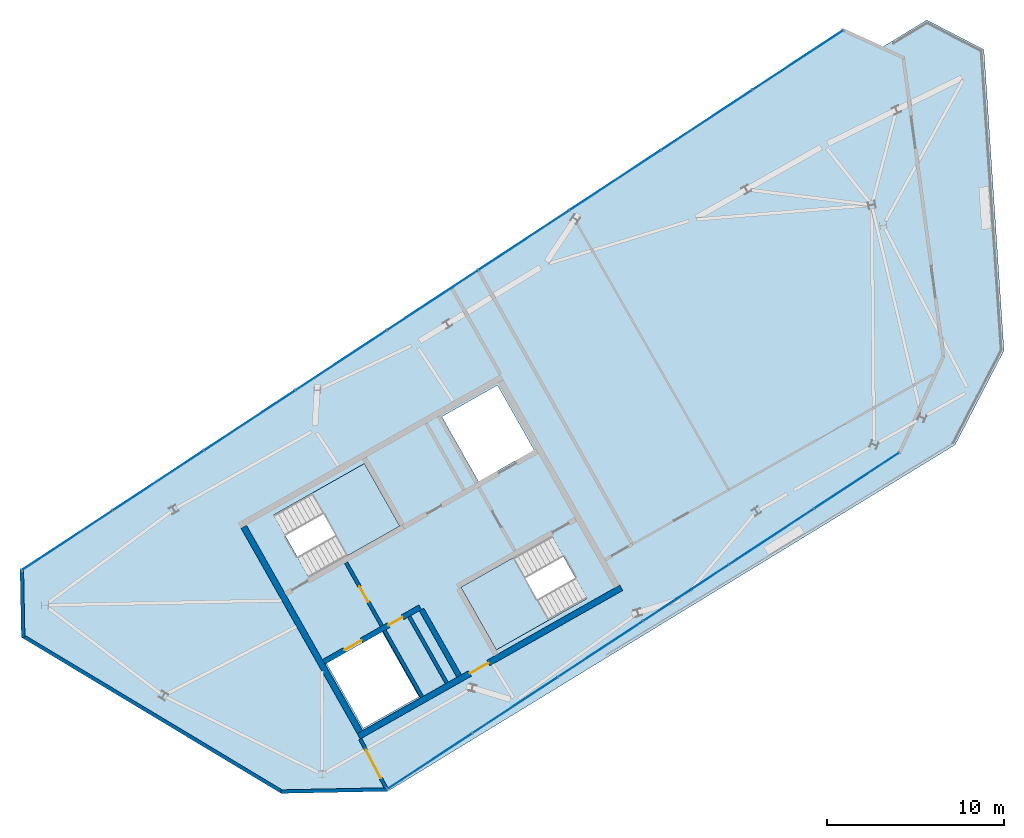
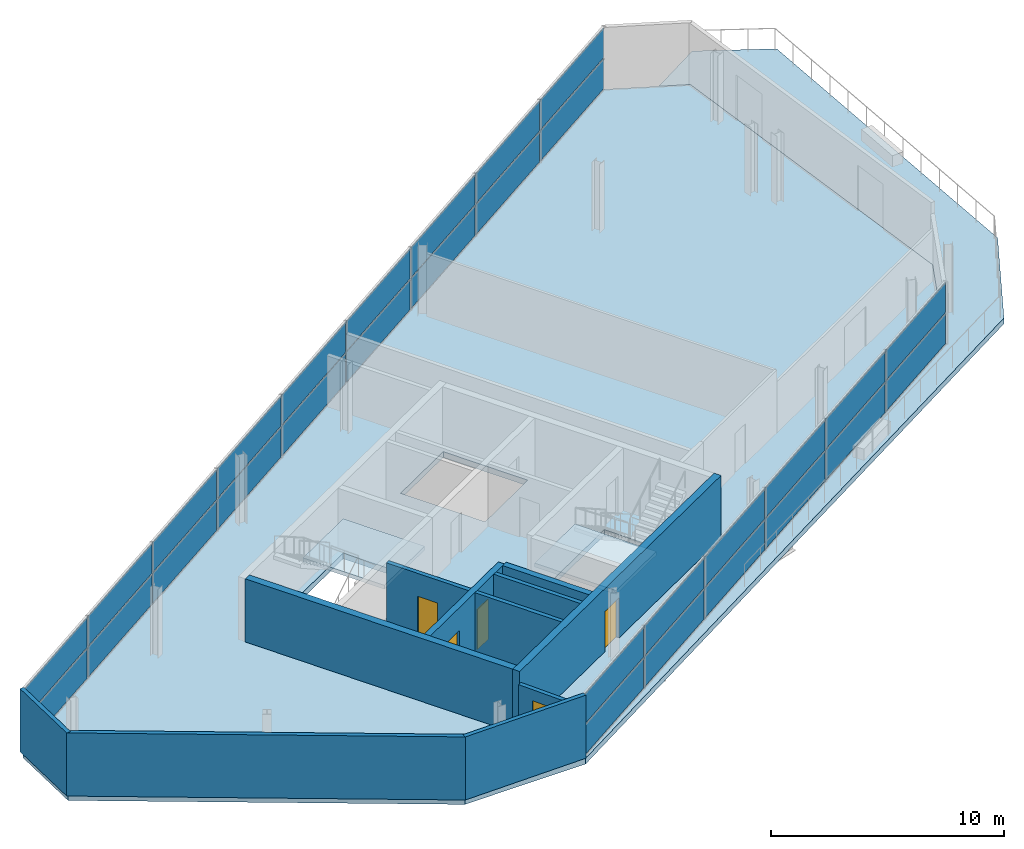
# One storey, part 7 of 10: 30 plates, 11 walls, 5 doors, 4 slabs, 5 openings, 4 elements without a shape of their own.
"""IFC4 building model written with IfcOpenShell, lengths in metres."""

from ifc_helpers import new_model, si_unit, direction, frame, frame_2d, origin, origin_2d, place, context, subcontext, project, spatial, polyline, rectangle, outline, extrude, material, layer, layer_set, type_object, element, fill, aggregate, save


model = new_model("IFC4")

# Units and contexts
model_context = context("Model", 3, precision=1e-05, world=origin(), true_north=direction((0.0, 1.0)))
body_context = subcontext(model_context, "Body", "Model", "MODEL_VIEW")
ifc_project = project(units=[si_unit("LENGTHUNIT", "METRE"), si_unit("AREAUNIT", "SQUARE_METRE"), si_unit("VOLUMEUNIT", "CUBIC_METRE"), si_unit("PLANEANGLEUNIT", "RADIAN"), si_unit("MASSUNIT", "GRAM", prefix="KILO")], contexts=[model_context])

# Site, building, storey
site_placement = place(None, origin())
site = spatial("IfcSite", under=ifc_project, at=site_placement, CompositionType="ELEMENT")
building_placement = place(site_placement, origin())
building = spatial("IfcBuilding", under=site, at=building_placement, Name="Binnacle Exchange Tower", CompositionType="ELEMENT")
storey_placement = place(building_placement, frame((0.0, 0.0, 354.10009765625)))
storey = spatial("IfcBuildingStorey", under=building, at=storey_placement, Name="L81", CompositionType="ELEMENT", Elevation=354.10009765625)

# Curtain wall, plates
ifc_material_1 = material(Name="Bronze anodised aluminium frame", Category="aluminium")
curtain_wall_type = type_object("IfcCurtainWallType", Name="External wall - curtain wall crown tiers", PredefinedType="NOTDEFINED", material=ifc_material_1)
curtain_wall_1_placement = place(storey_placement, origin())
curtain_wall_1 = element("IfcCurtainWall", 1, at=curtain_wall_1_placement, inside=storey, type_object=curtain_wall_type, Name="External wall curtain wall CW5-C203 L81", PredefinedType="NOTDEFINED")
ifc_material_2 = material(Name="Glass", Category="glass")
ifc_layer_1 = layer(ifc_material_2, 0.028076171875)
ifc_layer_set_1 = layer_set([ifc_layer_1], Name="CW5 GLASS PANEL 28")
plate_type = type_object("IfcPlateType", Name="CW5 GLASS PANEL 28", PredefinedType="CURTAIN_PANEL", material=ifc_layer_set_1)
plate_1_placement = place(storey_placement, frame((-15.05126953125, 67.7587890625, 0.0498046875), z_axis=(0.0, 0.0, 1.0), x_axis=(-0.835618452059, -0.549310297171, 0.0)))
plate_1 = element("IfcPlate", 2, at=plate_1_placement, type_object=plate_type, Name="CW5-C203 panel 1.1", PredefinedType="CURTAIN_PANEL", context=body_context, shape_type="SweptSolid", body=[
    extrude(rectangle(XDim=6.074462890625, YDim=0.028076171875, at=origin_2d()), origin(), (0.0, 0.0, 1.0), 1.574951171875),
])
plate_2_placement = place(storey_placement, frame((-15.05126953125, 67.7587890625, 1.6748046875), z_axis=(0.0, 0.0, 1.0), x_axis=(-0.835618452059, -0.549310297171, 0.0)))
plate_2 = element("IfcPlate", 3, at=plate_2_placement, type_object=plate_type, Name="CW5-C203 panel 1.2", PredefinedType="CURTAIN_PANEL", context=body_context, shape_type="SweptSolid", body=[
    extrude(rectangle(XDim=6.074462890625, YDim=0.028076171875, at=origin_2d()), origin(), (0.0, 0.0, 1.0), 1.574951171875),
])
plate_3_placement = place(storey_placement, frame((-20.18994140625, 64.380615234375, 0.0498046875), z_axis=(0.0, 0.0, 1.0), x_axis=(-0.835618452059, -0.549310297171, 0.0)))
plate_3 = element("IfcPlate", 4, at=plate_3_placement, type_object=plate_type, Name="CW5-C203 panel 2.1", PredefinedType="CURTAIN_PANEL", context=body_context, shape_type="SweptSolid", body=[
    extrude(rectangle(XDim=6.1044921875, YDim=0.028076171875, at=origin_2d()), origin(), (0.0, 0.0, 1.0), 1.574951171875),
])
plate_4_placement = place(storey_placement, frame((-20.18994140625, 64.380615234375, 1.6748046875), z_axis=(0.0, 0.0, 1.0), x_axis=(-0.835618452059, -0.549310297171, 0.0)))
plate_4 = element("IfcPlate", 5, at=plate_4_placement, type_object=plate_type, Name="CW5-C203 panel 2.2", PredefinedType="CURTAIN_PANEL", context=body_context, shape_type="SweptSolid", body=[
    extrude(rectangle(XDim=6.1044921875, YDim=0.028076171875, at=origin_2d()), origin(), (0.0, 0.0, 1.0), 1.574951171875),
])
plate_5_placement = place(storey_placement, frame((-25.34130859375, 60.994384765625, 0.0498046875), z_axis=(0.0, 0.0, 1.0), x_axis=(-0.835618452059, -0.549310297171, 0.0)))
plate_5 = element("IfcPlate", 6, at=plate_5_placement, type_object=plate_type, Name="CW5-C203 panel 3.1", PredefinedType="CURTAIN_PANEL", context=body_context, shape_type="SweptSolid", body=[
    extrude(rectangle(XDim=6.1044921875, YDim=0.028076171875, at=origin_2d()), origin(), (0.0, 0.0, 1.0), 1.574951171875),
])
plate_6_placement = place(storey_placement, frame((-25.34130859375, 60.994384765625, 1.6748046875), z_axis=(0.0, 0.0, 1.0), x_axis=(-0.835618452059, -0.549310297171, 0.0)))
plate_6 = element("IfcPlate", 7, at=plate_6_placement, type_object=plate_type, Name="CW5-C203 panel 3.2", PredefinedType="CURTAIN_PANEL", context=body_context, shape_type="SweptSolid", body=[
    extrude(rectangle(XDim=6.1044921875, YDim=0.028076171875, at=origin_2d()), origin(), (0.0, 0.0, 1.0), 1.574951171875),
])
plate_7_placement = place(storey_placement, frame((-30.492431640625, 57.608154296875, 0.0498046875), z_axis=(0.0, 0.0, 1.0), x_axis=(-0.835618452059, -0.549310297171, 0.0)))
plate_7 = element("IfcPlate", 8, at=plate_7_placement, type_object=plate_type, Name="CW5-C203 panel 4.1", PredefinedType="CURTAIN_PANEL", context=body_context, shape_type="SweptSolid", body=[
    extrude(rectangle(XDim=6.1044921875, YDim=0.028076171875, at=origin_2d()), origin(), (0.0, 0.0, 1.0), 1.574951171875),
])
plate_8_placement = place(storey_placement, frame((-30.492431640625, 57.608154296875, 1.6748046875), z_axis=(0.0, 0.0, 1.0), x_axis=(-0.835618452059, -0.549310297171, 0.0)))
plate_8 = element("IfcPlate", 9, at=plate_8_placement, type_object=plate_type, Name="CW5-C203 panel 4.2", PredefinedType="CURTAIN_PANEL", context=body_context, shape_type="SweptSolid", body=[
    extrude(rectangle(XDim=6.1044921875, YDim=0.028076171875, at=origin_2d()), origin(), (0.0, 0.0, 1.0), 1.574951171875),
])
plate_9_placement = place(storey_placement, frame((-35.643798828125, 54.221923828125, 0.0498046875), z_axis=(0.0, 0.0, 1.0), x_axis=(-0.835618452059, -0.549310297171, 0.0)))
plate_9 = element("IfcPlate", 10, at=plate_9_placement, type_object=plate_type, Name="CW5-C203 panel 5.1", PredefinedType="CURTAIN_PANEL", context=body_context, shape_type="SweptSolid", body=[
    extrude(rectangle(XDim=6.1044921875, YDim=0.028076171875, at=origin_2d()), origin(), (0.0, 0.0, 1.0), 1.574951171875),
])
plate_10_placement = place(storey_placement, frame((-35.643798828125, 54.221923828125, 1.6748046875), z_axis=(0.0, 0.0, 1.0), x_axis=(-0.835618452059, -0.549310297171, 0.0)))
plate_10 = element("IfcPlate", 11, at=plate_10_placement, type_object=plate_type, Name="CW5-C203 panel 5.2", PredefinedType="CURTAIN_PANEL", context=body_context, shape_type="SweptSolid", body=[
    extrude(rectangle(XDim=6.1044921875, YDim=0.028076171875, at=origin_2d()), origin(), (0.0, 0.0, 1.0), 1.574951171875),
])
plate_11_placement = place(storey_placement, frame((-40.794921875, 50.835693359375, 0.0498046875), z_axis=(0.0, 0.0, 1.0), x_axis=(-0.835618452059, -0.549310297171, 0.0)))
plate_11 = element("IfcPlate", 12, at=plate_11_placement, type_object=plate_type, Name="CW5-C203 panel 6.1", PredefinedType="CURTAIN_PANEL", context=body_context, shape_type="SweptSolid", body=[
    extrude(rectangle(XDim=6.1044921875, YDim=0.028076171875, at=origin_2d()), origin(), (0.0, 0.0, 1.0), 1.574951171875),
])
plate_12_placement = place(storey_placement, frame((-40.794921875, 50.835693359375, 1.6748046875), z_axis=(0.0, 0.0, 1.0), x_axis=(-0.835618452059, -0.549310297171, 0.0)))
plate_12 = element("IfcPlate", 13, at=plate_12_placement, type_object=plate_type, Name="CW5-C203 panel 6.2", PredefinedType="CURTAIN_PANEL", context=body_context, shape_type="SweptSolid", body=[
    extrude(rectangle(XDim=6.1044921875, YDim=0.028076171875, at=origin_2d()), origin(), (0.0, 0.0, 1.0), 1.574951171875),
])
plate_13_placement = place(storey_placement, frame((-45.9462890625, 47.449462890625, 0.0498046875), z_axis=(0.0, 0.0, 1.0), x_axis=(-0.835618452059, -0.549310297171, 0.0)))
plate_13 = element("IfcPlate", 14, at=plate_13_placement, type_object=plate_type, Name="CW5-C203 panel 7.1", PredefinedType="CURTAIN_PANEL", context=body_context, shape_type="SweptSolid", body=[
    extrude(rectangle(XDim=6.1044921875, YDim=0.028076171875, at=origin_2d()), origin(), (0.0, 0.0, 1.0), 1.574951171875),
])
plate_14_placement = place(storey_placement, frame((-45.9462890625, 47.449462890625, 1.6748046875), z_axis=(0.0, 0.0, 1.0), x_axis=(-0.835618452059, -0.549310297171, 0.0)))
plate_14 = element("IfcPlate", 15, at=plate_14_placement, type_object=plate_type, Name="CW5-C203 panel 7.2", PredefinedType="CURTAIN_PANEL", context=body_context, shape_type="SweptSolid", body=[
    extrude(rectangle(XDim=6.1044921875, YDim=0.028076171875, at=origin_2d()), origin(), (0.0, 0.0, 1.0), 1.574951171875),
])
plate_15_placement = place(storey_placement, frame((-51.097412109375, 44.06298828125, 0.0498046875), z_axis=(0.0, 0.0, 1.0), x_axis=(-0.835618452059, -0.549310297171, 0.0)))
plate_15 = element("IfcPlate", 16, at=plate_15_placement, type_object=plate_type, Name="CW5-C203 panel 8.1", PredefinedType="CURTAIN_PANEL", context=body_context, shape_type="SweptSolid", body=[
    extrude(rectangle(XDim=6.1044921875, YDim=0.028076171875, at=origin_2d()), origin(), (0.0, 0.0, 1.0), 1.574951171875),
])
plate_16_placement = place(storey_placement, frame((-51.097412109375, 44.06298828125, 1.6748046875), z_axis=(0.0, 0.0, 1.0), x_axis=(-0.835618452059, -0.549310297171, 0.0)))
plate_16 = element("IfcPlate", 17, at=plate_16_placement, type_object=plate_type, Name="CW5-C203 panel 8.2", PredefinedType="CURTAIN_PANEL", context=body_context, shape_type="SweptSolid", body=[
    extrude(rectangle(XDim=6.1044921875, YDim=0.028076171875, at=origin_2d()), origin(), (0.0, 0.0, 1.0), 1.574951171875),
])
plate_17_placement = place(storey_placement, frame((-56.236083984375, 40.68505859375, 0.0498046875), z_axis=(0.0, 0.0, 1.0), x_axis=(-0.835618452059, -0.549310297171, 0.0)))
plate_17 = element("IfcPlate", 18, at=plate_17_placement, type_object=plate_type, Name="CW5-C203 panel 9.1", PredefinedType="CURTAIN_PANEL", context=body_context, shape_type="SweptSolid", body=[
    extrude(rectangle(XDim=6.074462890625, YDim=0.028076171875, at=origin_2d()), origin(), (0.0, 0.0, 1.0), 1.574951171875),
])
plate_18_placement = place(storey_placement, frame((-56.236083984375, 40.68505859375, 1.6748046875), z_axis=(0.0, 0.0, 1.0), x_axis=(-0.835618452059, -0.549310297171, 0.0)))
plate_18 = element("IfcPlate", 19, at=plate_18_placement, type_object=plate_type, Name="CW5-C203 panel 9.2", PredefinedType="CURTAIN_PANEL", context=body_context, shape_type="SweptSolid", body=[
    extrude(rectangle(XDim=6.074462890625, YDim=0.028076171875, at=origin_2d()), origin(), (0.0, 0.0, 1.0), 1.574951171875),
])
aggregate(curtain_wall_1, [plate_1, plate_2, plate_3, plate_4, plate_5, plate_6, plate_7, plate_8, plate_9, plate_10, plate_11, plate_12, plate_13, plate_14, plate_15, plate_16, plate_17, plate_18])

curtain_wall_2_placement = place(storey_placement, origin())
curtain_wall_2 = element("IfcCurtainWall", 20, at=curtain_wall_2_placement, inside=storey, type_object=curtain_wall_type, Name="External wall curtain wall CW5-C207 L81", PredefinedType="NOTDEFINED")
plate_19_placement = place(storey_placement, frame((-35.789794921875, 28.241455078125, 0.0498046875), z_axis=(0.0, 0.0, 1.0), x_axis=(0.835618452059, 0.549310297171, 0.0)))
plate_19 = element("IfcPlate", 21, at=plate_19_placement, type_object=plate_type, Name="CW5-C207 panel 1.1", PredefinedType="CURTAIN_PANEL", context=body_context, shape_type="SweptSolid", body=[
    extrude(rectangle(XDim=5.67333984375, YDim=0.028076171875, at=origin_2d()), origin(), (0.0, 0.0, 1.0), 1.574951171875),
])
plate_20_placement = place(storey_placement, frame((-35.789794921875, 28.241455078125, 1.6748046875), z_axis=(0.0, 0.0, 1.0), x_axis=(0.835618452059, 0.549310297171, 0.0)))
plate_20 = element("IfcPlate", 22, at=plate_20_placement, type_object=plate_type, Name="CW5-C207 panel 1.2", PredefinedType="CURTAIN_PANEL", context=body_context, shape_type="SweptSolid", body=[
    extrude(rectangle(XDim=5.67333984375, YDim=0.028076171875, at=origin_2d()), origin(), (0.0, 0.0, 1.0), 1.574951171875),
])
plate_21_placement = place(storey_placement, frame((-30.986328125, 31.399169921875, 0.0498046875), z_axis=(0.0, 0.0, 1.0), x_axis=(0.835618452059, 0.549310297171, 0.0)))
plate_21 = element("IfcPlate", 23, at=plate_21_placement, type_object=plate_type, Name="CW5-C207 panel 2.1", PredefinedType="CURTAIN_PANEL", context=body_context, shape_type="SweptSolid", body=[
    extrude(rectangle(XDim=5.703369140625, YDim=0.028076171875, at=origin_2d()), origin(), (0.0, 0.0, 1.0), 1.574951171875),
])
plate_22_placement = place(storey_placement, frame((-30.986328125, 31.399169921875, 1.6748046875), z_axis=(0.0, 0.0, 1.0), x_axis=(0.835618452059, 0.549310297171, 0.0)))
plate_22 = element("IfcPlate", 24, at=plate_22_placement, type_object=plate_type, Name="CW5-C207 panel 2.2", PredefinedType="CURTAIN_PANEL", context=body_context, shape_type="SweptSolid", body=[
    extrude(rectangle(XDim=5.703369140625, YDim=0.028076171875, at=origin_2d()), origin(), (0.0, 0.0, 1.0), 1.574951171875),
])
plate_23_placement = place(storey_placement, frame((-26.17041015625, 34.56494140625, 0.0498046875), z_axis=(0.0, 0.0, 1.0), x_axis=(0.835618452059, 0.549310297171, 0.0)))
plate_23 = element("IfcPlate", 25, at=plate_23_placement, type_object=plate_type, Name="CW5-C207 panel 3.1", PredefinedType="CURTAIN_PANEL", context=body_context, shape_type="SweptSolid", body=[
    extrude(rectangle(XDim=5.703369140625, YDim=0.028076171875, at=origin_2d()), origin(), (0.0, 0.0, 1.0), 1.574951171875),
])
plate_24_placement = place(storey_placement, frame((-26.17041015625, 34.56494140625, 1.6748046875), z_axis=(0.0, 0.0, 1.0), x_axis=(0.835618452059, 0.549310297171, 0.0)))
plate_24 = element("IfcPlate", 26, at=plate_24_placement, type_object=plate_type, Name="CW5-C207 panel 3.2", PredefinedType="CURTAIN_PANEL", context=body_context, shape_type="SweptSolid", body=[
    extrude(rectangle(XDim=5.703369140625, YDim=0.028076171875, at=origin_2d()), origin(), (0.0, 0.0, 1.0), 1.574951171875),
])
plate_25_placement = place(storey_placement, frame((-21.354736328125, 37.730712890625, 0.0498046875), z_axis=(0.0, 0.0, 1.0), x_axis=(0.835618452059, 0.549310297171, 0.0)))
plate_25 = element("IfcPlate", 27, at=plate_25_placement, type_object=plate_type, Name="CW5-C207 panel 4.1", PredefinedType="CURTAIN_PANEL", context=body_context, shape_type="SweptSolid", body=[
    extrude(rectangle(XDim=5.703369140625, YDim=0.028076171875, at=origin_2d()), origin(), (0.0, 0.0, 1.0), 1.574951171875),
])
plate_26_placement = place(storey_placement, frame((-21.354736328125, 37.730712890625, 1.6748046875), z_axis=(0.0, 0.0, 1.0), x_axis=(0.835618452059, 0.549310297171, 0.0)))
plate_26 = element("IfcPlate", 28, at=plate_26_placement, type_object=plate_type, Name="CW5-C207 panel 4.2", PredefinedType="CURTAIN_PANEL", context=body_context, shape_type="SweptSolid", body=[
    extrude(rectangle(XDim=5.703369140625, YDim=0.028076171875, at=origin_2d()), origin(), (0.0, 0.0, 1.0), 1.574951171875),
])
plate_27_placement = place(storey_placement, frame((-16.538818359375, 40.896728515625, 0.0498046875), z_axis=(0.0, 0.0, 1.0), x_axis=(0.835618452059, 0.549310297171, 0.0)))
plate_27 = element("IfcPlate", 29, at=plate_27_placement, type_object=plate_type, Name="CW5-C207 panel 5.1", PredefinedType="CURTAIN_PANEL", context=body_context, shape_type="SweptSolid", body=[
    extrude(rectangle(XDim=5.703369140625, YDim=0.028076171875, at=origin_2d()), origin(), (0.0, 0.0, 1.0), 1.574951171875),
])
plate_28_placement = place(storey_placement, frame((-16.538818359375, 40.896728515625, 1.6748046875), z_axis=(0.0, 0.0, 1.0), x_axis=(0.835618452059, 0.549310297171, 0.0)))
plate_28 = element("IfcPlate", 30, at=plate_28_placement, type_object=plate_type, Name="CW5-C207 panel 5.2", PredefinedType="CURTAIN_PANEL", context=body_context, shape_type="SweptSolid", body=[
    extrude(rectangle(XDim=5.703369140625, YDim=0.028076171875, at=origin_2d()), origin(), (0.0, 0.0, 1.0), 1.574951171875),
])
plate_29_placement = place(storey_placement, frame((-11.7353515625, 44.05419921875, 0.0498046875), z_axis=(0.0, 0.0, 1.0), x_axis=(0.835618452059, 0.549310297171, 0.0)))
plate_29 = element("IfcPlate", 31, at=plate_29_placement, type_object=plate_type, Name="CW5-C207 panel 6.1", PredefinedType="CURTAIN_PANEL", context=body_context, shape_type="SweptSolid", body=[
    extrude(rectangle(XDim=5.67333984375, YDim=0.028076171875, at=origin_2d()), origin(), (0.0, 0.0, 1.0), 1.574951171875),
])
plate_30_placement = place(storey_placement, frame((-11.7353515625, 44.05419921875, 1.6748046875), z_axis=(0.0, 0.0, 1.0), x_axis=(0.835618452059, 0.549310297171, 0.0)))
plate_30 = element("IfcPlate", 32, at=plate_30_placement, type_object=plate_type, Name="CW5-C207 panel 6.2", PredefinedType="CURTAIN_PANEL", context=body_context, shape_type="SweptSolid", body=[
    extrude(rectangle(XDim=5.67333984375, YDim=0.028076171875, at=origin_2d()), origin(), (0.0, 0.0, 1.0), 1.574951171875),
])
aggregate(curtain_wall_2, [plate_19, plate_20, plate_21, plate_22, plate_23, plate_24, plate_25, plate_26, plate_27, plate_28, plate_29, plate_30])

# Slab
ifc_material_3 = material(Name="Concrete C35/45", Category="concrete")
ifc_layer_2 = layer(ifc_material_3, 0.300048828125)
ifc_layer_set_2 = layer_set([ifc_layer_2], Name="Floor slab 300 Concrete C35/45")
slab_type_1 = type_object("IfcSlabType", Name="Floor slab 300 Concrete C35/45", PredefinedType="FLOOR", material=ifc_layer_set_2)
slab_1_placement = place(storey_placement, frame((0.0, 0.0, -0.300048828125)))
element("IfcSlab", 33, at=slab_1_placement, inside=storey, type_object=slab_type_1, Name="S:SL:L81:01", PredefinedType="FLOOR", context=body_context, shape_type="SweptSolid", body=[
    extrude(outline(polyline([(-38.219482421875, 26.644287109375), (-44.14404296875, 26.5244140625), (-58.716064453125, 35.280029296875), (-58.79150390625, 39.00537109375), (-12.49609375, 69.4384765625), (-9.106201171875, 67.89208984375), (-6.84619140625, 51.04296875), (-9.3056640625, 45.6513671875), (-38.219482421875, 26.644287109375)]), holes=[polyline([(-41.61279296875, 33.756591796875), (-39.544677734375, 30.10107421875), (-36.411376953125, 31.873779296875), (-38.4794921875, 35.529296875), (-41.61279296875, 33.756591796875)]), polyline([(-26.9287109375, 37.4111328125), (-28.923095703125, 40.93603515625), (-34.040771484375, 38.04052734375), (-32.04638671875, 34.515625), (-26.9287109375, 37.4111328125)]), polyline([(-44.598388671875, 42.12060546875), (-42.604248046875, 38.595703125), (-37.486572265625, 41.4912109375), (-39.480712890625, 45.01611328125), (-44.598388671875, 42.12060546875)]), polyline([(-35.115966796875, 47.657958984375), (-33.047607421875, 44.00244140625), (-29.914306640625, 45.775390625), (-31.982666015625, 49.430908203125), (-35.115966796875, 47.657958984375)])]), origin(), (0.0, 0.0, 1.0), 0.300048828125),
])

# Stair, slab
stair_type = type_object("IfcStairType", Name="STAIR 20 RISERS 180", PredefinedType="HALF_TURN_STAIR", material=ifc_material_3)
stair_1_placement = place(storey_placement, origin())
stair_1 = element("IfcStair", 34, at=stair_1_placement, inside=storey, type_object=stair_type, Name="L81 Escape stair A1", PredefinedType="HALF_TURN_STAIR")
ifc_layer_3 = layer(ifc_material_3, 0.199951171875)
ifc_layer_set_3 = layer_set([ifc_layer_3], Name="STAIR LANDING 200")
slab_type_2 = type_object("IfcSlabType", Name="STAIR LANDING 200", PredefinedType="LANDING", material=ifc_layer_set_3)
slab_2_placement = place(storey_placement, frame((0.0, 0.0, 1.599853515625)))
slab_2 = element("IfcSlab", 35, at=slab_2_placement, type_object=slab_type_2, Name="STA1 landing 1", PredefinedType="LANDING", context=body_context, shape_type="SweptSolid", body=[
    extrude(outline(polyline([(-40.44580078125, 39.81689453125), (-37.486572265625, 41.4912109375), (-39.48095703125, 45.01611328125), (-42.43994140625, 43.341796875), (-40.44580078125, 39.81689453125)])), origin(), (0.0, 0.0, 1.0), 0.199951171875),
])
aggregate(stair_1, [slab_2])

stair_2_placement = place(storey_placement, origin())
stair_2 = element("IfcStair", 36, at=stair_2_placement, inside=storey, type_object=stair_type, Name="L81 Escape stair A2", PredefinedType="HALF_TURN_STAIR")
slab_3_placement = place(storey_placement, frame((0.0, 0.0, 1.599853515625)))
slab_3 = element("IfcSlab", 37, at=slab_3_placement, type_object=slab_type_2, Name="STA2 landing 1", PredefinedType="LANDING", context=body_context, shape_type="SweptSolid", body=[
    extrude(outline(polyline([(-31.08154296875, 39.71484375), (-34.040771484375, 38.04052734375), (-32.04638671875, 34.515625), (-29.087158203125, 36.18994140625), (-31.08154296875, 39.71484375)])), origin(), (0.0, 0.0, 1.0), 0.199951171875),
])
aggregate(stair_2, [slab_3])

# Slab
ifc_layer_4 = layer(ifc_material_3, 0.300048828125)
ifc_layer_set_4 = layer_set([ifc_layer_4], Name="Terrace slab 300 Concrete C35/45")
slab_type_3 = type_object("IfcSlabType", Name="Terrace slab 300 Concrete C35/45", PredefinedType="ROOF", material=ifc_layer_set_4)
slab_4_placement = place(storey_placement, frame((0.0, 0.0, -0.300048828125)))
element("IfcSlab", 38, at=slab_4_placement, inside=storey, type_object=slab_type_3, Name="TERRACE C2 slab", PredefinedType="ROOF", context=body_context, shape_type="SweptSolid", body=[
    extrude(outline(polyline([(-7.78369140625, 70.01611328125), (-4.563232421875, 68.347900390625), (-3.430908203125, 51.385498046875), (-6.184814453125, 46.0693359375), (-38.156982421875, 26.5458984375), (-44.14404296875, 26.5244140625), (-38.219482421875, 26.644287109375), (-9.3056640625, 45.6513671875), (-6.84619140625, 51.04296875), (-9.106201171875, 67.89208984375), (-10.340087890625, 68.454833984375), (-7.78369140625, 70.01611328125)])), origin(), (0.0, 0.0, 1.0), 0.300048828125),
])

# Wall, openings, doors
ifc_material_4 = material(Name="Concrete C70/85", Category="concrete")
ifc_layer_5 = layer(ifc_material_4, 0.300048828125)
ifc_layer_set_5 = layer_set([ifc_layer_5], Name="Core wall - front 300")
wall_type_1 = type_object("IfcWallType", Name="Core wall - front 300", PredefinedType="SOLIDWALL", material=ifc_layer_set_5)
wall_1_placement = place(storey_placement, frame((-41.773681640625, 33.837890625, 0.0), z_axis=(0.0, 0.0, 1.0), x_axis=(0.870355415866, 0.492424055132, 0.0)))
wall_1 = element("IfcWall", 39, at=wall_1_placement, inside=storey, type_object=wall_type_1, Name="Core wall CRWA2", PredefinedType="SOLIDWALL", context=body_context, shape_type="SweptSolid", body=[
    extrude(rectangle(XDim=6.25, YDim=0.300048828125, at=frame_2d((3.125, 0.0))), origin(), (0.0, 0.0, 1.0), 3.2998046875),
])
opening_1_placement = place(wall_1_placement, frame((1.349853515625, 0.0, 0.0)))
opening_1 = element("IfcOpeningElement", 40, at=opening_1_placement, cuts=wall_1, Name="Opening LD12", PredefinedType="OPENING", context=body_context, shape_type="SweptSolid", body=[
    extrude(rectangle(XDim=1.10009765625, YDim=2.10009765625, at=frame_2d((0.550048828125, 1.050048828125))), frame((0.0, 0.159912109375, 0.0), z_axis=(0.0, -1.0, 0.0), x_axis=(1.0, 0.0, 0.0)), (0.0, 0.0, 1.0), 0.320068359375),
])
opening_2_placement = place(wall_1_placement, frame((4.199951171875, 0.0, 0.0)))
opening_2 = element("IfcOpeningElement", 41, at=opening_2_placement, cuts=wall_1, Name="Opening DA14", PredefinedType="OPENING", context=body_context, shape_type="SweptSolid", body=[
    extrude(rectangle(XDim=0.89990234375, YDim=2.10009765625, at=frame_2d((0.449951171875, 1.050048828125))), frame((0.0, 0.159912109375, 0.0), z_axis=(0.0, -1.0, 0.0), x_axis=(1.0, 0.0, 0.0)), (0.0, 0.0, 1.0), 0.320068359375),
])
ifc_material_5 = material(Name="Steel door leaf", Category="steel")
door_type_1 = type_object("IfcDoorType", Name="Fire door - lift landing 1100", OperationType="NOTDEFINED", PredefinedType="DOOR", material=ifc_material_5)
door_1_placement = place(opening_1_placement, origin())
door_1 = element("IfcDoor", 42, at=door_1_placement, inside=storey, type_object=door_type_1, Name="Landing door LD12 L81", OperationType="DOUBLE_DOOR_SLIDING", OverallHeight=2.10009765625, OverallWidth=1.10009765625, PredefinedType="DOOR", context=body_context, shape_type="SweptSolid", body=[
    extrude(rectangle(XDim=1.10009765625, YDim=2.10009765625, at=frame_2d((0.550048828125, 1.050048828125))), frame((0.0, 0.02490234375, 0.0), z_axis=(0.0, -1.0, 0.0), x_axis=(1.0, 0.0, 0.0)), (0.0, 0.0, 1.0), 0.050048828125),
])
fill(opening_1, door_1)
door_type_2 = type_object("IfcDoorType", Name="Fire door 900", OperationType="NOTDEFINED", PredefinedType="DOOR", material=ifc_material_5)
door_2_placement = place(opening_2_placement, frame((0.89990234375, 0.0, 0.0), z_axis=(0.0, 0.0, 1.0), x_axis=(-1.0, 0.0, 0.0)))
door_2 = element("IfcDoor", 43, at=door_2_placement, inside=storey, type_object=door_type_2, Name="Core room door IT STORE", OperationType="SINGLE_SWING_LEFT", OverallHeight=2.10009765625, OverallWidth=0.89990234375, PredefinedType="DOOR", context=body_context, shape_type="SweptSolid", body=[
    extrude(rectangle(XDim=0.89990234375, YDim=2.10009765625, at=frame_2d((0.449951171875, 1.050048828125))), frame((0.0, 0.02490234375, 0.0), z_axis=(0.0, -1.0, 0.0), x_axis=(1.0, 0.0, 0.0)), (0.0, 0.0, 1.0), 0.050048828125),
])
fill(opening_2, door_2)

# Wall
wall_2_placement = place(storey_placement, frame((-36.260009765625, 36.784912109375, 0.0), z_axis=(0.0, 0.0, 1.0), x_axis=(0.492435133428, -0.870349147967, 0.0)))
element("IfcWall", 44, at=wall_2_placement, inside=storey, type_object=wall_type_1, Name="Core wall CRWA13", PredefinedType="SOLIDWALL", context=body_context, shape_type="SweptSolid", body=[
    extrude(rectangle(XDim=4.2998046875, YDim=0.300048828125, at=frame_2d((2.14990234375, 0.0))), origin(), (0.0, 0.0, 1.0), 3.2998046875),
])

# Wall, opening, door
ifc_layer_6 = layer(ifc_material_4, 0.35009765625)
ifc_layer_set_6 = layer_set([ifc_layer_6], Name="Core wall - outer 350")
wall_type_2 = type_object("IfcWallType", Name="Core wall - outer 350", PredefinedType="SOLIDWALL", material=ifc_layer_set_6)
wall_3_placement = place(storey_placement, frame((-39.80078125, 29.64013671875, 0.0), z_axis=(0.0, 0.0, 1.0), x_axis=(0.870359753402, 0.492416388494, 0.0)))
wall_3 = element("IfcWall", 45, at=wall_3_placement, inside=storey, type_object=wall_type_2, Name="Core wall CRWA1", PredefinedType="SOLIDWALL", context=body_context, shape_type="SweptSolid", body=[
    extrude(rectangle(XDim=17.0, YDim=0.35009765625, at=frame_2d((8.5, 0.0))), origin(), (0.0, 0.0, 1.0), 3.2998046875),
])
opening_3_placement = place(wall_3_placement, frame((7.199951171875, 0.0, 0.0)))
opening_3 = element("IfcOpeningElement", 46, at=opening_3_placement, cuts=wall_3, Name="Opening DA7", PredefinedType="OPENING", context=body_context, shape_type="SweptSolid", body=[
    extrude(rectangle(XDim=1.199951171875, YDim=2.10009765625, at=frame_2d((0.60009765625, 1.050048828125))), frame((0.0, 0.18505859375, 0.0), z_axis=(0.0, -1.0, 0.0), x_axis=(1.0, 0.0, 0.0)), (0.0, 0.0, 1.0), 0.3701171875),
])
door_type_3 = type_object("IfcDoorType", Name="Fire door 1200", OperationType="NOTDEFINED", PredefinedType="DOOR", material=ifc_material_5)
door_3_placement = place(opening_3_placement, frame((1.199951171875, 0.0, 0.0), z_axis=(0.0, 0.0, 1.0), x_axis=(-1.0, 0.0, 0.0)))
door_3 = element("IfcDoor", 47, at=door_3_placement, inside=storey, type_object=door_type_3, Name="Lift lobby entrance door core A", OperationType="SINGLE_SWING_RIGHT", OverallHeight=2.10009765625, OverallWidth=1.199951171875, PredefinedType="DOOR", context=body_context, shape_type="SweptSolid", body=[
    extrude(rectangle(XDim=1.199951171875, YDim=2.10009765625, at=frame_2d((0.60009765625, 1.050048828125))), frame((0.0, 0.02490234375, 0.0), z_axis=(0.0, -1.0, 0.0), x_axis=(1.0, 0.0, 0.0)), (0.0, 0.0, 1.0), 0.050048828125),
])
fill(opening_3, door_3)

# Walls
wall_4_placement = place(storey_placement, frame((-46.283935546875, 41.454345703125, 0.0), z_axis=(0.0, 0.0, 1.0), x_axis=(0.492429810477, -0.870352159619, 0.0)))
element("IfcWall", 48, at=wall_4_placement, inside=storey, type_object=wall_type_2, Name="Core wall CRWA7", PredefinedType="SOLIDWALL", context=body_context, shape_type="SweptSolid", body=[
    extrude(rectangle(XDim=13.300048828125, YDim=0.35009765625, at=frame_2d((6.64990234375, 0.0))), origin(), (0.0, 0.0, 1.0), 3.2998046875),
])
ifc_material_6 = material(Name="Bronze aluminium louvre", Category="aluminium")
ifc_layer_7 = layer(ifc_material_6, 0.199951171875)
ifc_layer_set_7 = layer_set([ifc_layer_7], Name="External wall - crown louvre 200")
wall_type_3 = type_object("IfcWallType", Name="External wall - crown louvre 200", PredefinedType="STANDARD", material=ifc_layer_set_7)
wall_5_placement = place(storey_placement, frame((-58.71484375, 35.224853515625, 0.0), z_axis=(0.0, 0.0, 1.0), x_axis=(-0.020271225376, 0.999794517599, 0.0)))
element("IfcWall", 49, at=wall_5_placement, inside=storey, type_object=wall_type_3, Name="External wall EW-C204 L81", PredefinedType="STANDARD", context=body_context, shape_type="SweptSolid", body=[
    extrude(rectangle(XDim=3.865966796875, YDim=0.199951171875, at=frame_2d((1.93310546875, 0.0))), origin(), (0.0, 0.0, 1.0), 3.2998046875),
])
wall_6_placement = place(storey_placement, frame((-44.119384765625, 26.509765625, 0.0), z_axis=(0.0, 0.0, 1.0), x_axis=(-0.857172484352, 0.515029447769, 0.0)))
element("IfcWall", 50, at=wall_6_placement, inside=storey, type_object=wall_type_3, Name="External wall EW-C205 L81", PredefinedType="STANDARD", context=body_context, shape_type="SweptSolid", body=[
    extrude(rectangle(XDim=17.084228515625, YDim=0.199951171875, at=frame_2d((8.5419921875, 0.0))), origin(), (0.0, 0.0, 1.0), 3.2998046875),
])
wall_7_placement = place(storey_placement, frame((-38.1435546875, 26.64599609375, 0.0), z_axis=(0.0, 0.0, 1.0), x_axis=(-0.999795108808, -0.020242045449, 0.0)))
element("IfcWall", 51, at=wall_7_placement, inside=storey, type_object=wall_type_3, Name="External wall EW-C206 L81", PredefinedType="STANDARD", context=body_context, shape_type="SweptSolid", body=[
    extrude(rectangle(XDim=6.030517578125, YDim=0.199951171875, at=frame_2d((3.01513671875, 0.0))), origin(), (0.0, 0.0, 1.0), 3.2998046875),
])

# Wall, opening, door
ifc_material_7 = material(Name="Masonry block wall", Category="masonry")
ifc_layer_8 = layer(ifc_material_7, 0.199951171875)
ifc_layer_set_8 = layer_set([ifc_layer_8], Name="Fire wall - block 200")
wall_type_4 = type_object("IfcWallType", Name="Fire wall - block 200", PredefinedType="PARTITIONING", material=ifc_layer_set_8)
wall_8_placement = place(storey_placement, frame((-39.715087890625, 29.488037109375, 0.0), z_axis=(0.0, 0.0, 1.0), x_axis=(0.465711249011, -0.884936739289, 0.0)))
wall_8 = element("IfcWall", 52, at=wall_8_placement, inside=storey, type_object=wall_type_4, Name="Partition W01", PredefinedType="PARTITIONING", context=body_context, shape_type="SweptSolid", body=[
    extrude(rectangle(XDim=3.14599609375, YDim=0.199951171875, at=frame_2d((1.572998046875, 0.0))), origin(), (0.0, 0.0, 1.0), 2.679931640625),
])
opening_4_placement = place(wall_8_placement, frame((0.699951171875, 0.0, 0.0)))
opening_4 = element("IfcOpeningElement", 53, at=opening_4_placement, cuts=wall_8, Name="Opening DL81-04", PredefinedType="OPENING", context=body_context, shape_type="SweptSolid", body=[
    extrude(rectangle(XDim=1.800048828125, YDim=2.10009765625, at=frame_2d((0.89990234375, 1.050048828125))), frame((0.0, 0.10986328125, 0.0), z_axis=(0.0, -1.0, 0.0), x_axis=(1.0, 0.0, 0.0)), (0.0, 0.0, 1.0), 0.219970703125),
])
door_type_4 = type_object("IfcDoorType", Name="Fire door 1800", OperationType="NOTDEFINED", PredefinedType="DOOR", material=ifc_material_5)
door_4_placement = place(opening_4_placement, frame((1.800048828125, 0.0, 0.0), z_axis=(0.0, 0.0, 1.0), x_axis=(-1.0, 0.0, 0.0)))
door_4 = element("IfcDoor", 54, at=door_4_placement, inside=storey, type_object=door_type_4, Name="Door DL81-04", OperationType="DOUBLE_DOOR_SINGLE_SWING", OverallHeight=2.10009765625, OverallWidth=1.800048828125, PredefinedType="DOOR", context=body_context, shape_type="SweptSolid", body=[
    extrude(rectangle(XDim=1.800048828125, YDim=2.10009765625, at=frame_2d((0.89990234375, 1.050048828125))), frame((0.0, 0.02490234375, 0.0), z_axis=(0.0, -1.0, 0.0), x_axis=(1.0, 0.0, 0.0)), (0.0, 0.0, 1.0), 0.050048828125),
])
fill(opening_4, door_4)

ifc_layer_9 = layer(ifc_material_7, 0.199951171875)
ifc_layer_set_9 = layer_set([ifc_layer_9], Name="Fire wall - vestibule 200")
wall_type_5 = type_object("IfcWallType", Name="Fire wall - vestibule 200", PredefinedType="PARTITIONING", material=ifc_layer_set_9)
wall_9_placement = place(storey_placement, frame((-40.515625, 39.4326171875, 0.0), z_axis=(0.0, 0.0, 1.0), x_axis=(0.492453559952, -0.87033872216, 0.0)))
wall_9 = element("IfcWall", 55, at=wall_9_placement, inside=storey, type_object=wall_type_5, Name="Core wall CRWA10", PredefinedType="PARTITIONING", context=body_context, shape_type="SweptSolid", body=[
    extrude(rectangle(XDim=4.099853515625, YDim=0.199951171875, at=frame_2d((2.0498046875, 0.0))), origin(), (0.0, 0.0, 1.0), 3.2998046875),
])
opening_5_placement = place(wall_9_placement, frame((1.550048828125, 0.0, 0.0)))
opening_5 = element("IfcOpeningElement", 56, at=opening_5_placement, cuts=wall_9, Name="Opening DA3", PredefinedType="OPENING", context=body_context, shape_type="SweptSolid", body=[
    extrude(rectangle(XDim=1.0, YDim=2.10009765625, at=frame_2d((0.5, 1.050048828125))), frame((0.0, 0.10986328125, 0.0), z_axis=(0.0, -1.0, 0.0), x_axis=(1.0, 0.0, 0.0)), (0.0, 0.0, 1.0), 0.219970703125),
])
door_type_5 = type_object("IfcDoorType", Name="Fire door 1000", OperationType="NOTDEFINED", PredefinedType="DOOR", material=ifc_material_5)
door_5_placement = place(opening_5_placement, frame((1.0, 0.0, 0.0), z_axis=(0.0, 0.0, 1.0), x_axis=(-1.0, 0.0, 0.0)))
door_5 = element("IfcDoor", 57, at=door_5_placement, inside=storey, type_object=door_type_5, Name="Vestibule door VEST-W", OperationType="SINGLE_SWING_LEFT", OverallHeight=2.10009765625, OverallWidth=1.0, PredefinedType="DOOR", context=body_context, shape_type="SweptSolid", body=[
    extrude(rectangle(XDim=1.0, YDim=2.10009765625, at=frame_2d((0.5, 1.050048828125))), frame((0.0, 0.02490234375, 0.0), z_axis=(0.0, -1.0, 0.0), x_axis=(1.0, 0.0, 0.0)), (0.0, 0.0, 1.0), 0.050048828125),
])
fill(opening_5, door_5)

# Walls
ifc_layer_10 = layer(ifc_material_7, 0.199951171875)
ifc_layer_set_10 = layer_set([ifc_layer_10], Name="Riser wall 200")
wall_type_6 = type_object("IfcWallType", Name="Riser wall 200", PredefinedType="SOLIDWALL", material=ifc_layer_set_10)
wall_10_placement = place(storey_placement, frame((-36.956298828125, 36.39111328125, 0.0), z_axis=(0.0, 0.0, 1.0), x_axis=(0.492410799949, -0.870362915164, 0.0)))
element("IfcWall", 58, at=wall_10_placement, inside=storey, type_object=wall_type_6, Name="Core wall CRWA12", PredefinedType="SOLIDWALL", context=body_context, shape_type="SweptSolid", body=[
    extrude(rectangle(XDim=4.300048828125, YDim=0.199951171875, at=frame_2d((2.14990234375, 0.0))), origin(), (0.0, 0.0, 1.0), 3.2998046875),
])
ifc_layer_11 = layer(ifc_material_7, 0.199951171875)
ifc_layer_set_11 = layer_set([ifc_layer_11], Name="Shaft wall 200")
wall_type_7 = type_object("IfcWallType", Name="Shaft wall 200", PredefinedType="SOLIDWALL", material=ifc_layer_set_11)
wall_11_placement = place(storey_placement, frame((-38.348876953125, 35.603271484375, 0.0), z_axis=(0.0, 0.0, 1.0), x_axis=(0.492410799949, -0.870362915164, 0.0)))
element("IfcWall", 59, at=wall_11_placement, inside=storey, type_object=wall_type_7, Name="Core wall CRWA9", PredefinedType="SOLIDWALL", context=body_context, shape_type="SweptSolid", body=[
    extrude(rectangle(XDim=4.300048828125, YDim=0.199951171875, at=frame_2d((2.14990234375, 0.0))), origin(), (0.0, 0.0, 1.0), 3.2998046875),
])

save(model, "model.ifc")
